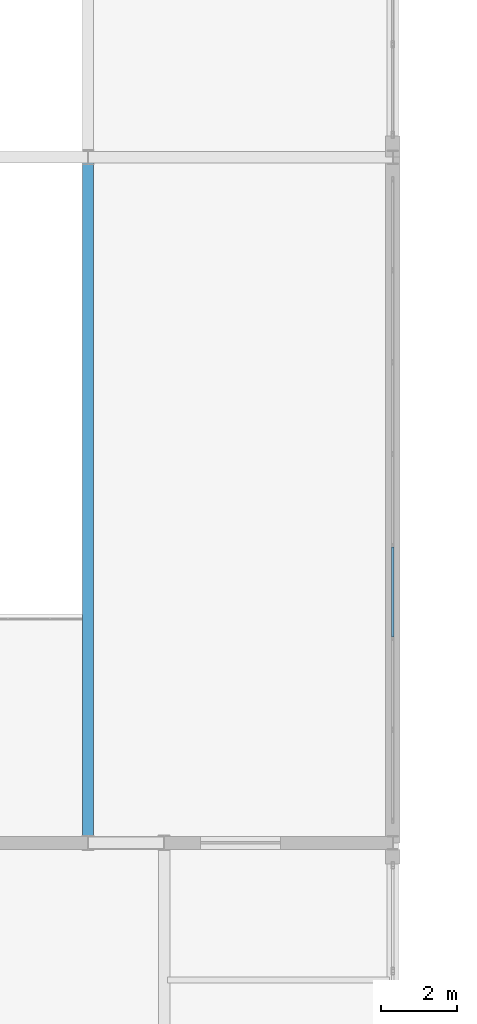
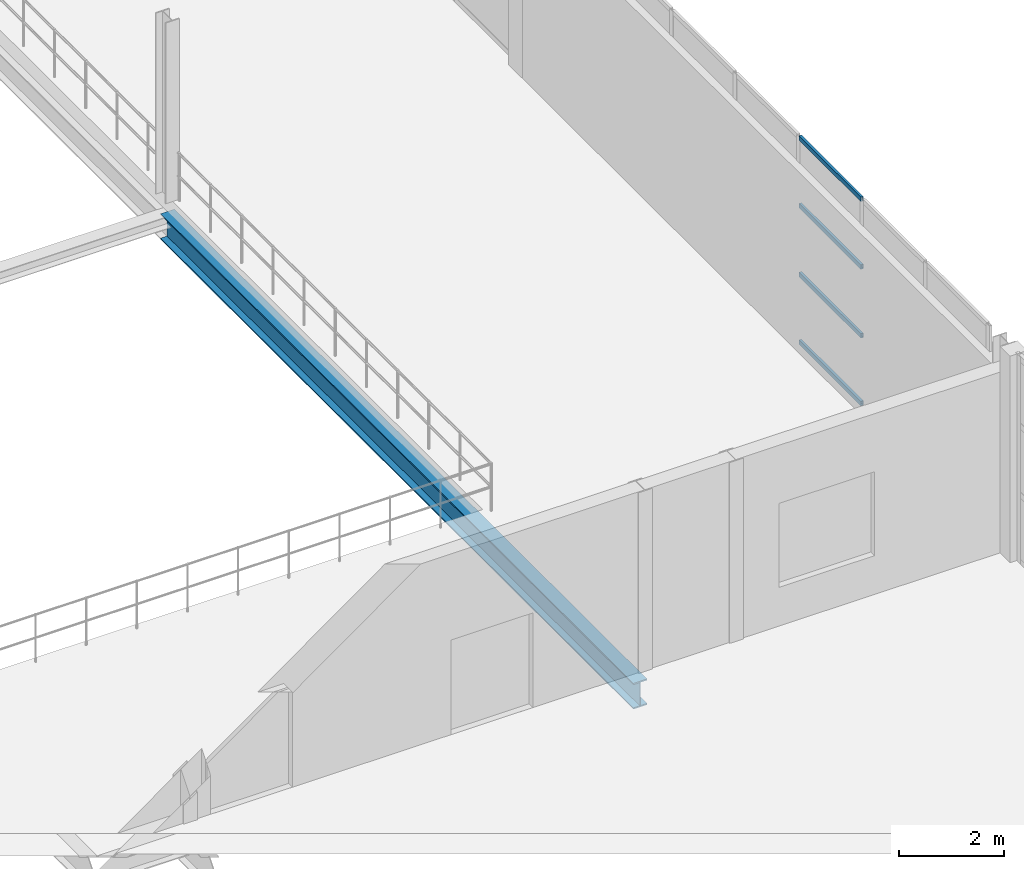
# One storey, part 44 of 147: 4 members, 1 beam, 1 element without a shape of its own.
"""IFC4 building model written with IfcOpenShell, lengths in metres."""

from ifc_helpers import new_model, si_unit, direction, frame, origin, origin_2d, place, context, subcontext, project, spatial, hollow_rectangle, i_section, extrude, material, layer, layer_set, material_profile, profile_set, type_object, element, aggregate, save


model = new_model("IFC4")

# Units and contexts
model_context = context("Model", 3, precision=1e-05, world=origin(), true_north=direction((0.0, 1.0)))
body_context = subcontext(model_context, "Body", "Model", "MODEL_VIEW")
ifc_project = project(units=[si_unit("LENGTHUNIT", "METRE"), si_unit("AREAUNIT", "SQUARE_METRE"), si_unit("VOLUMEUNIT", "CUBIC_METRE"), si_unit("PLANEANGLEUNIT", "RADIAN"), si_unit("MASSUNIT", "GRAM", prefix="KILO")], contexts=[model_context])

# Site, building, storey
site_placement = place(None, origin())
site = spatial("IfcSite", under=ifc_project, at=site_placement, CompositionType="ELEMENT")
building_placement = place(site_placement, origin())
building = spatial("IfcBuilding", under=site, at=building_placement, Name="Zilviju Railside Exhibition Hall", CompositionType="ELEMENT")
storey_placement = place(building_placement, frame((0.0, 0.0, 8.39990234375)))
storey = spatial("IfcBuildingStorey", under=building, at=storey_placement, Name="L03", CompositionType="ELEMENT", Elevation=8.39990234375)

# Beam
ifc_material_1 = material(Name="Steel S355J2", Category="steel")
ifc_material_profile_1 = material_profile(ifc_material_1, i_section(OverallWidth=0.300048828125, OverallDepth=0.60009765625, WebThickness=0.015380859375, FlangeThickness=0.030029296875, at=origin_2d()), Name="HEB 600")
ifc_profile_set_1 = profile_set([ifc_material_profile_1], Name="Steel S355J2")
beam_type = type_object("IfcBeamType", Name="BM-HEB600", PredefinedType="BEAM", material=ifc_profile_set_1)
beam_placement = place(storey_placement, frame((70.0, 18.0, -0.64990234375), z_axis=(0.0, 1.0, 0.0), x_axis=(-1.0, 0.0, 0.0)))
element("IfcBeam", 1, at=beam_placement, inside=storey, type_object=beam_type, Name="Transverse Girder L03 X=70.0 (18.0..36.0)", PredefinedType="BEAM", context=body_context, shape_type="SweptSolid", body=[
    extrude(i_section(OverallWidth=0.300048828125, OverallDepth=0.60009765625, WebThickness=0.015380859375, FlangeThickness=0.030029296875, at=origin_2d()), origin(), (0.0, 0.0, 1.0), 18.0),
])

# Curtain wall, members
ifc_material_2 = material(Name="Thermally broken aluminium-steel triple-glazed curtain wall", Category="steel")
ifc_layer = layer(ifc_material_2, 0.179931640625)
ifc_layer_set = layer_set([ifc_layer], Name="Thermally broken aluminium-steel triple-glazed curtain wall")
curtain_wall_type = type_object("IfcCurtainWallType", Name="CW-BAY-20", PredefinedType="USERDEFINED", material=ifc_layer_set)
curtain_wall_placement = place(storey_placement, origin())
curtain_wall = element("IfcCurtainWall", 2, at=curtain_wall_placement, inside=storey, type_object=curtain_wall_type, Name="South Hall West Upper Glazed Gable (18..36)", ObjectType="GLAZED CURTAIN WALL", PredefinedType="USERDEFINED")
ifc_material_3 = material(Name="Thermally broken anodized aluminium transom", Category="aluminium")
ifc_material_profile_2 = material_profile(ifc_material_3, hollow_rectangle(XDim=0.054931640625, YDim=0.10498046875, WallThickness=0.0048828125, at=origin_2d()), Name="TRANSOM 105x55x5")
ifc_profile_set_2 = profile_set([ifc_material_profile_2], Name="Thermally broken anodized aluminium transom")
member_type = type_object("IfcMemberType", Name="CWT-55x105", PredefinedType="USERDEFINED", material=ifc_profile_set_2)
member_1_placement = place(storey_placement, frame((78.0, 23.406005859375, 0.027587890625), z_axis=(0.0, 1.0, 0.0), x_axis=(-1.0, 0.0, 0.0)))
member_1 = element("IfcMember", 3, at=member_1_placement, type_object=member_type, Name="CW-20 transom 3.1", ObjectType="TRANSOM", PredefinedType="USERDEFINED", context=body_context, shape_type="SweptSolid", body=[
    extrude(hollow_rectangle(XDim=0.054931640625, YDim=0.10498046875, WallThickness=0.0048828125, at=origin_2d()), origin(), (0.0, 0.0, 1.0), 2.359375),
])
member_2_placement = place(storey_placement, frame((78.0, 23.406005859375, 1.60009765625), z_axis=(0.0, 1.0, 0.0), x_axis=(-1.0, 0.0, 0.0)))
member_2 = element("IfcMember", 4, at=member_2_placement, type_object=member_type, Name="CW-20 transom 3.2", ObjectType="TRANSOM", PredefinedType="USERDEFINED", context=body_context, shape_type="SweptSolid", body=[
    extrude(hollow_rectangle(XDim=0.054931640625, YDim=0.10498046875, WallThickness=0.0048828125, at=origin_2d()), origin(), (0.0, 0.0, 1.0), 2.359375),
])
member_3_placement = place(storey_placement, frame((78.0, 23.406005859375, 3.2001953125), z_axis=(0.0, 1.0, 0.0), x_axis=(-1.0, 0.0, 0.0)))
member_3 = element("IfcMember", 5, at=member_3_placement, type_object=member_type, Name="CW-20 transom 3.3", ObjectType="TRANSOM", PredefinedType="USERDEFINED", context=body_context, shape_type="SweptSolid", body=[
    extrude(hollow_rectangle(XDim=0.054931640625, YDim=0.10498046875, WallThickness=0.0048828125, at=origin_2d()), origin(), (0.0, 0.0, 1.0), 2.359375),
])
member_4_placement = place(storey_placement, frame((78.0, 23.406005859375, 4.772705078125), z_axis=(0.0, 1.0, 0.0), x_axis=(-1.0, 0.0, 0.0)))
member_4 = element("IfcMember", 6, at=member_4_placement, type_object=member_type, Name="CW-20 transom 3.4", ObjectType="TRANSOM", PredefinedType="USERDEFINED", context=body_context, shape_type="SweptSolid", body=[
    extrude(hollow_rectangle(XDim=0.054931640625, YDim=0.10498046875, WallThickness=0.0048828125, at=origin_2d()), origin(), (0.0, 0.0, 1.0), 2.359375),
])
aggregate(curtain_wall, [member_1, member_2, member_3, member_4])

save(model, "model.ifc")
